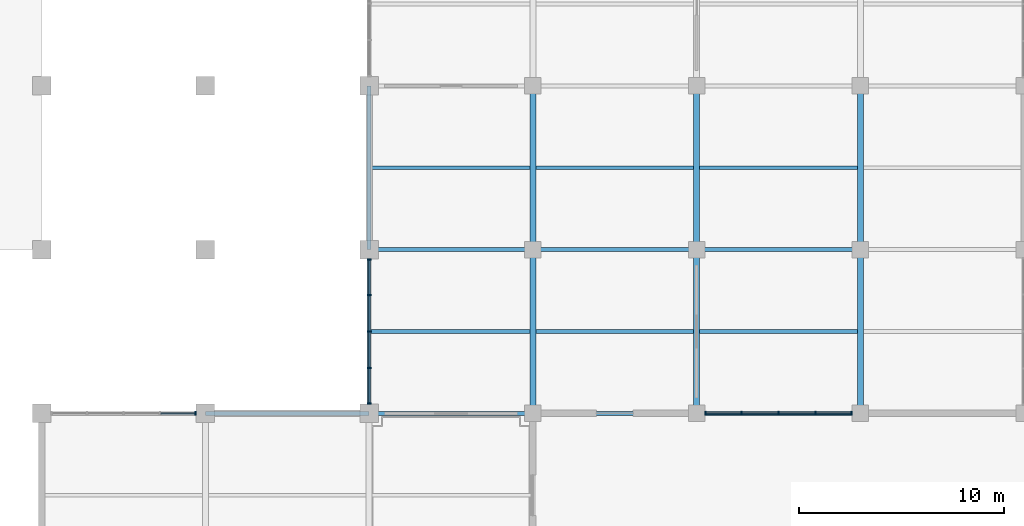
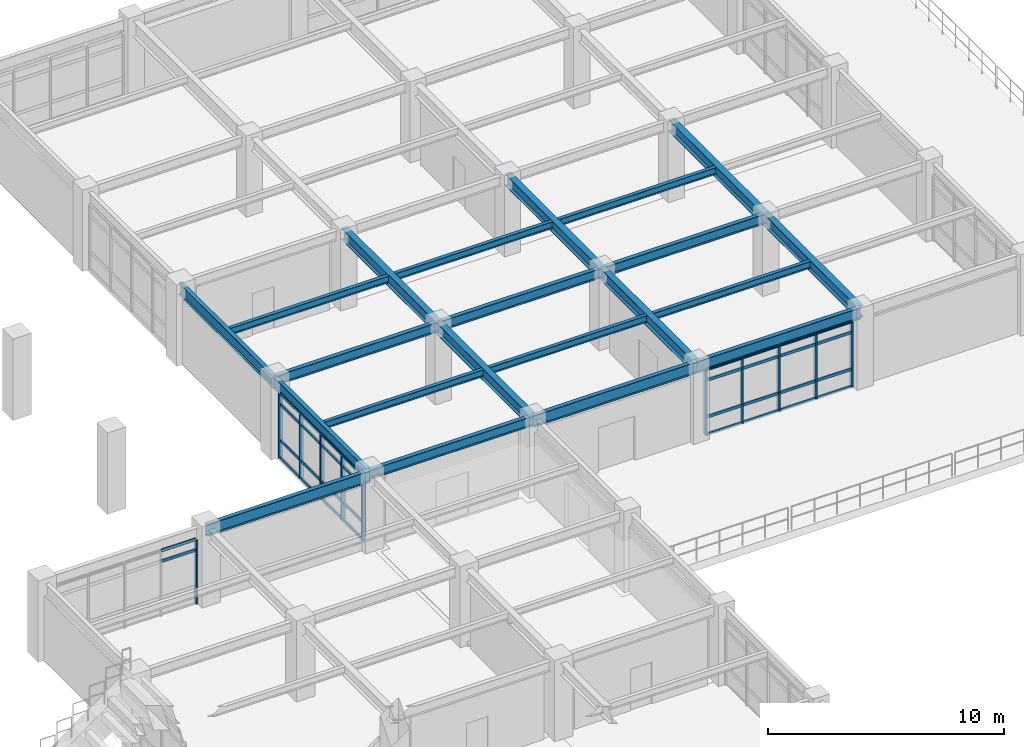
# One storey, part 59 of 118: 45 members, 21 beams, 3 elements without a shape of their own.
"""IFC4 building model written with IfcOpenShell, lengths in metres."""

from ifc_helpers import new_model, si_unit, direction, frame, origin, origin_2d, place, context, subcontext, project, spatial, rectangle, i_section, extrude, material, layer, layer_set, material_profile, profile_set, type_object, element, aggregate, save


model = new_model("IFC4")

# Units and contexts
model_context = context("Model", 3, precision=1e-05, world=origin(), true_north=direction((0.0, 1.0)))
body_context = subcontext(model_context, "Body", "Model", "MODEL_VIEW")
ifc_project = project(units=[si_unit("LENGTHUNIT", "METRE"), si_unit("AREAUNIT", "SQUARE_METRE"), si_unit("VOLUMEUNIT", "CUBIC_METRE"), si_unit("PLANEANGLEUNIT", "RADIAN"), si_unit("MASSUNIT", "GRAM", prefix="KILO")], contexts=[model_context])

# Site, building, storey
site_placement = place(None, origin())
site = spatial("IfcSite", under=ifc_project, at=site_placement, CompositionType="ELEMENT")
building_placement = place(site_placement, origin())
building = spatial("IfcBuilding", under=site, at=building_placement, Name="Haebicheon Civic Stadium", CompositionType="ELEMENT")
storey_placement = place(building_placement, frame((0.0, 0.0, 14.39990234375)))
storey = spatial("IfcBuildingStorey", under=building, at=storey_placement, Name="L04", CompositionType="ELEMENT", Elevation=14.39990234375)

# Beams
ifc_material_1 = material(Name="Steel SM355 (S355)", Category="steel")
ifc_material_profile_1 = material_profile(ifc_material_1, i_section(OverallWidth=0.199951171875, OverallDepth=0.5, WebThickness=0.010009765625, FlangeThickness=0.01611328125, at=origin_2d()), Name="H-500x200x10x16")
ifc_profile_set_1 = profile_set([ifc_material_profile_1], Name="Steel SM355 (S355)")
beam_type_1 = type_object("IfcBeamType", Name="BM-ST-H500", PredefinedType="BEAM", material=ifc_profile_set_1)
for number, where, z_axis, x_axis, name in (
    (1, (160.0, 144.0, 3.72998046875), (1.0, 0.0, 0.0), (0.0, 1.0, 0.0), "L04 beam U/21-22"),
    (2, (160.0, 152.0, 3.72998046875), (1.0, 0.0, 0.0), (0.0, 1.0, 0.0), "L04 beam V/21-22"),
    (3, (168.0, 152.0, 3.72998046875), (1.0, 0.0, 0.0), (0.0, 1.0, 0.0), "L04 beam V/22-23"),
    (4, (176.0, 152.0, 3.72998046875), (1.0, 0.0, 0.0), (0.0, 1.0, 0.0), "L04 beam V/23-24"),
):
    element("IfcBeam", number, at=place(storey_placement, frame(where, z_axis=z_axis, x_axis=x_axis)), inside=storey, type_object=beam_type_1, material=ifc_profile_set_1, Name=name, PredefinedType="BEAM", context=body_context, shape_type="SweptSolid", body=[
        extrude(i_section(OverallWidth=0.199951171875, OverallDepth=0.5, WebThickness=0.010009765625, FlangeThickness=0.01611328125, at=origin_2d()), origin(), (0.0, 0.0, 1.0), 8.0),
    ])
ifc_material_2 = material(Name="Steel SM355 (S355)", Category="steel")
ifc_material_profile_2 = material_profile(ifc_material_2, i_section(OverallWidth=0.300048828125, OverallDepth=0.60009765625, WebThickness=0.011962890625, FlangeThickness=0.02001953125, at=origin_2d()), Name="H-600x300x12x20")
ifc_profile_set_2 = profile_set([ifc_material_profile_2], Name="Steel SM355 (S355)")
beam_type_2 = type_object("IfcBeamType", Name="BM-ST-H600A", PredefinedType="BEAM", material=ifc_profile_set_2)
for number, where, z_axis, x_axis, name in (
    (5, (168.0, 144.0, 3.68017578125), (0.0, 1.0, 0.0), (-1.0, 0.0, 0.0), "L04 girder 22/U-V"),
    (6, (168.0, 152.0, 3.68017578125), (0.0, 1.0, 0.0), (-1.0, 0.0, 0.0), "L04 girder 22/V-W"),
    (7, (176.0, 144.0, 3.68017578125), (0.0, 1.0, 0.0), (-1.0, 0.0, 0.0), "L04 girder 23/U-V"),
    (8, (176.0, 152.0, 3.68017578125), (0.0, 1.0, 0.0), (-1.0, 0.0, 0.0), "L04 girder 23/V-W"),
    (9, (184.0, 144.0, 3.68017578125), (0.0, 1.0, 0.0), (-1.0, 0.0, 0.0), "L04 girder 24/U-V"),
    (10, (184.0, 152.0, 3.68017578125), (0.0, 1.0, 0.0), (-1.0, 0.0, 0.0), "L04 girder 24/V-W"),
):
    element("IfcBeam", number, at=place(storey_placement, frame(where, z_axis=z_axis, x_axis=x_axis)), inside=storey, type_object=beam_type_2, material=ifc_profile_set_2, Name=name, PredefinedType="BEAM", context=body_context, shape_type="SweptSolid", body=[
        extrude(i_section(OverallWidth=0.300048828125, OverallDepth=0.60009765625, WebThickness=0.011962890625, FlangeThickness=0.02001953125, at=origin_2d()), origin(), (0.0, 0.0, 1.0), 8.0),
    ])

# Curtain wall, member
ifc_material_3 = material(Name="Anodised aluminium and laminated glass", Category="aluminium")
ifc_layer_1 = layer(ifc_material_3, 0.179931640625, Name="Anodised aluminium and laminated glass")
ifc_layer_set_1 = layer_set([ifc_layer_1], Name="Anodised aluminium and laminated glass")
curtain_wall_type_1 = type_object("IfcCurtainWallType", Name="CW-7100x3330", PredefinedType="NOTDEFINED", material=ifc_layer_set_1)
curtain_wall_1_placement = place(storey_placement, origin())
curtain_wall_1 = element("IfcCurtainWall", 11, at=curtain_wall_1_placement, inside=storey, type_object=curtain_wall_type_1, material=ifc_layer_set_1, Name="L04 unitised curtain wall 148", PredefinedType="NOTDEFINED")
ifc_material_4 = material(Name="Anodised aluminium 6063-T6", Category="aluminium")
ifc_material_profile_3 = material_profile(ifc_material_4, rectangle(XDim=0.070068359375, YDim=0.199951171875, at=origin_2d()), Name="ALU-MULL-70x200")
ifc_profile_set_3 = profile_set([ifc_material_profile_3], Name="Anodised aluminium 6063-T6")
member_type_1 = type_object("IfcMemberType", Name="CWM-200x70", PredefinedType="MULLION", material=ifc_profile_set_3)
member_1_placement = place(storey_placement, frame((151.514892578125, 144.0, 0.0), z_axis=(0.0, 0.0, 1.0), x_axis=(1.0, 0.0, 0.0)))
member_1 = element("IfcMember", 12, at=member_1_placement, type_object=member_type_1, material=ifc_profile_set_3, Name="CW-L04-148 vertical mullion 5", PredefinedType="MULLION", context=body_context, shape_type="SweptSolid", body=[
    extrude(rectangle(XDim=0.070068359375, YDim=0.199951171875, at=origin_2d()), origin(), (0.0, 0.0, 1.0), 3.330078125),
])

# Curtain wall, members
ifc_material_5 = material(Name="Anodised aluminium and laminated glass", Category="aluminium")
ifc_layer_2 = layer(ifc_material_5, 0.179931640625, Name="Anodised aluminium and laminated glass")
ifc_layer_set_2 = layer_set([ifc_layer_2], Name="Anodised aluminium and laminated glass")
curtain_wall_type_2 = type_object("IfcCurtainWallType", Name="CW-7100x3326", PredefinedType="NOTDEFINED", material=ifc_layer_set_2)
curtain_wall_2_placement = place(storey_placement, origin())
curtain_wall_2 = element("IfcCurtainWall", 13, at=curtain_wall_2_placement, inside=storey, type_object=curtain_wall_type_2, material=ifc_layer_set_2, Name="L04 unitised curtain wall 159", PredefinedType="NOTDEFINED")
member_2_placement = place(storey_placement, frame((160.0, 144.485107421875, 0.0), z_axis=(0.0, 0.0, 1.0), x_axis=(0.0, 1.0, 0.0)))
member_2 = element("IfcMember", 14, at=member_2_placement, type_object=member_type_1, material=ifc_profile_set_3, Name="CW-L04-159 vertical mullion 1", PredefinedType="MULLION", context=body_context, shape_type="SweptSolid", body=[
    extrude(rectangle(XDim=0.070068359375, YDim=0.199951171875, at=origin_2d()), origin(), (0.0, 0.0, 1.0), 3.326171875),
])
member_3_placement = place(storey_placement, frame((160.0, 146.22509765625, 0.0), z_axis=(0.0, 0.0, 1.0), x_axis=(0.0, 1.0, 0.0)))
member_3 = element("IfcMember", 15, at=member_3_placement, type_object=member_type_1, material=ifc_profile_set_3, Name="CW-L04-159 vertical mullion 2", PredefinedType="MULLION", context=body_context, shape_type="SweptSolid", body=[
    extrude(rectangle(XDim=0.070068359375, YDim=0.199951171875, at=origin_2d()), origin(), (0.0, 0.0, 1.0), 3.326171875),
])
member_4_placement = place(storey_placement, frame((160.0, 148.0, 0.0), z_axis=(0.0, 0.0, 1.0), x_axis=(0.0, 1.0, 0.0)))
member_4 = element("IfcMember", 16, at=member_4_placement, type_object=member_type_1, material=ifc_profile_set_3, Name="CW-L04-159 vertical mullion 3", PredefinedType="MULLION", context=body_context, shape_type="SweptSolid", body=[
    extrude(rectangle(XDim=0.070068359375, YDim=0.199951171875, at=origin_2d()), origin(), (0.0, 0.0, 1.0), 3.326171875),
])
member_5_placement = place(storey_placement, frame((160.0, 149.77490234375, 0.0), z_axis=(0.0, 0.0, 1.0), x_axis=(0.0, 1.0, 0.0)))
member_5 = element("IfcMember", 17, at=member_5_placement, type_object=member_type_1, material=ifc_profile_set_3, Name="CW-L04-159 vertical mullion 4", PredefinedType="MULLION", context=body_context, shape_type="SweptSolid", body=[
    extrude(rectangle(XDim=0.070068359375, YDim=0.199951171875, at=origin_2d()), origin(), (0.0, 0.0, 1.0), 3.326171875),
])
member_6_placement = place(storey_placement, frame((160.0, 151.514892578125, 0.0), z_axis=(0.0, 0.0, 1.0), x_axis=(0.0, 1.0, 0.0)))
member_6 = element("IfcMember", 18, at=member_6_placement, type_object=member_type_1, material=ifc_profile_set_3, Name="CW-L04-159 vertical mullion 5", PredefinedType="MULLION", context=body_context, shape_type="SweptSolid", body=[
    extrude(rectangle(XDim=0.070068359375, YDim=0.199951171875, at=origin_2d()), origin(), (0.0, 0.0, 1.0), 3.326171875),
])

ifc_material_6 = material(Name="Anodised aluminium and laminated glass", Category="aluminium")
ifc_layer_3 = layer(ifc_material_6, 0.179931640625, Name="Anodised aluminium and laminated glass")
ifc_layer_set_3 = layer_set([ifc_layer_3], Name="Anodised aluminium and laminated glass")
curtain_wall_type_3 = type_object("IfcCurtainWallType", Name="CW-7200x3350", PredefinedType="NOTDEFINED", material=ifc_layer_set_3)
curtain_wall_3_placement = place(storey_placement, origin())
curtain_wall_3 = element("IfcCurtainWall", 19, at=curtain_wall_3_placement, inside=storey, type_object=curtain_wall_type_3, material=ifc_layer_set_3, Name="L04 unitised curtain wall 163", PredefinedType="NOTDEFINED")
member_7_placement = place(storey_placement, frame((176.43505859375, 144.0, 0.0), z_axis=(0.0, 0.0, 1.0), x_axis=(1.0, 0.0, 0.0)))
member_7 = element("IfcMember", 20, at=member_7_placement, type_object=member_type_1, material=ifc_profile_set_3, Name="CW-L04-163 vertical mullion 1", PredefinedType="MULLION", context=body_context, shape_type="SweptSolid", body=[
    extrude(rectangle(XDim=0.070068359375, YDim=0.199951171875, at=origin_2d()), origin(), (0.0, 0.0, 1.0), 3.35009765625),
])
member_8_placement = place(storey_placement, frame((178.199951171875, 144.0, 0.0), z_axis=(0.0, 0.0, 1.0), x_axis=(1.0, 0.0, 0.0)))
member_8 = element("IfcMember", 21, at=member_8_placement, type_object=member_type_1, material=ifc_profile_set_3, Name="CW-L04-163 vertical mullion 2", PredefinedType="MULLION", context=body_context, shape_type="SweptSolid", body=[
    extrude(rectangle(XDim=0.070068359375, YDim=0.199951171875, at=origin_2d()), origin(), (0.0, 0.0, 1.0), 3.35009765625),
])
member_9_placement = place(storey_placement, frame((180.0, 144.0, 0.0), z_axis=(0.0, 0.0, 1.0), x_axis=(1.0, 0.0, 0.0)))
member_9 = element("IfcMember", 22, at=member_9_placement, type_object=member_type_1, material=ifc_profile_set_3, Name="CW-L04-163 vertical mullion 3", PredefinedType="MULLION", context=body_context, shape_type="SweptSolid", body=[
    extrude(rectangle(XDim=0.070068359375, YDim=0.199951171875, at=origin_2d()), origin(), (0.0, 0.0, 1.0), 3.35009765625),
])
member_10_placement = place(storey_placement, frame((181.800048828125, 144.0, 0.0), z_axis=(0.0, 0.0, 1.0), x_axis=(1.0, 0.0, 0.0)))
member_10 = element("IfcMember", 23, at=member_10_placement, type_object=member_type_1, material=ifc_profile_set_3, Name="CW-L04-163 vertical mullion 4", PredefinedType="MULLION", context=body_context, shape_type="SweptSolid", body=[
    extrude(rectangle(XDim=0.070068359375, YDim=0.199951171875, at=origin_2d()), origin(), (0.0, 0.0, 1.0), 3.35009765625),
])
member_11_placement = place(storey_placement, frame((183.56494140625, 144.0, 0.0), z_axis=(0.0, 0.0, 1.0), x_axis=(1.0, 0.0, 0.0)))
member_11 = element("IfcMember", 24, at=member_11_placement, type_object=member_type_1, material=ifc_profile_set_3, Name="CW-L04-163 vertical mullion 5", PredefinedType="MULLION", context=body_context, shape_type="SweptSolid", body=[
    extrude(rectangle(XDim=0.070068359375, YDim=0.199951171875, at=origin_2d()), origin(), (0.0, 0.0, 1.0), 3.35009765625),
])

# Member
ifc_material_7 = material(Name="Anodised aluminium 6063-T6", Category="aluminium")
ifc_material_profile_4 = material_profile(ifc_material_7, rectangle(XDim=0.070068359375, YDim=0.14990234375, at=origin_2d()), Name="ALU-TRAN-70x150")
ifc_profile_set_4 = profile_set([ifc_material_profile_4], Name="Anodised aluminium 6063-T6")
member_type_2 = type_object("IfcMemberType", Name="CWT-150x70", PredefinedType="NOTDEFINED", material=ifc_profile_set_4)
member_12_placement = place(storey_placement, frame((149.81005859375, 144.0, 2.780029296875), z_axis=(1.0, 0.0, 0.0), x_axis=(0.0, 1.0, 0.0)))
member_12 = element("IfcMember", 25, at=member_12_placement, type_object=member_type_2, material=ifc_profile_set_4, Name="CW-L04-148 horizontal transom 4.3", ObjectType="TRANSOM", PredefinedType="USERDEFINED", context=body_context, shape_type="SweptSolid", body=[
    extrude(rectangle(XDim=0.070068359375, YDim=0.14990234375, at=origin_2d()), origin(), (0.0, 0.0, 1.0), 1.669921875),
])

member_13_placement = place(storey_placement, frame((149.81005859375, 144.0, 3.330078125), z_axis=(1.0, 0.0, 0.0), x_axis=(0.0, 1.0, 0.0)))
member_13 = element("IfcMember", 26, at=member_13_placement, type_object=member_type_2, material=ifc_profile_set_4, Name="CW-L04-148 horizontal transom 4.4", ObjectType="TRANSOM", PredefinedType="USERDEFINED", context=body_context, shape_type="SweptSolid", body=[
    extrude(rectangle(XDim=0.070068359375, YDim=0.14990234375, at=origin_2d()), origin(), (0.0, 0.0, 1.0), 1.669921875),
])

aggregate(curtain_wall_1, [member_1, member_12, member_13])

member_14_placement = place(storey_placement, frame((160.0, 144.52001953125, 0.0), z_axis=(0.0, 1.0, 0.0), x_axis=(-1.0, 0.0, 0.0)))
member_14 = element("IfcMember", 27, at=member_14_placement, type_object=member_type_2, material=ifc_profile_set_4, Name="CW-L04-159 horizontal transom 1.1", ObjectType="TRANSOM", PredefinedType="USERDEFINED", context=body_context, shape_type="SweptSolid", body=[
    extrude(rectangle(XDim=0.070068359375, YDim=0.14990234375, at=origin_2d()), origin(), (0.0, 0.0, 1.0), 1.669921875),
])

member_15_placement = place(storey_placement, frame((160.0, 144.52001953125, 0.900146484375), z_axis=(0.0, 1.0, 0.0), x_axis=(-1.0, 0.0, 0.0)))
member_15 = element("IfcMember", 28, at=member_15_placement, type_object=member_type_2, material=ifc_profile_set_4, Name="CW-L04-159 horizontal transom 1.2", ObjectType="TRANSOM", PredefinedType="USERDEFINED", context=body_context, shape_type="SweptSolid", body=[
    extrude(rectangle(XDim=0.070068359375, YDim=0.14990234375, at=origin_2d()), origin(), (0.0, 0.0, 1.0), 1.669921875),
])

member_16_placement = place(storey_placement, frame((160.0, 144.52001953125, 2.776123046875), z_axis=(0.0, 1.0, 0.0), x_axis=(-1.0, 0.0, 0.0)))
member_16 = element("IfcMember", 29, at=member_16_placement, type_object=member_type_2, material=ifc_profile_set_4, Name="CW-L04-159 horizontal transom 1.3", ObjectType="TRANSOM", PredefinedType="USERDEFINED", context=body_context, shape_type="SweptSolid", body=[
    extrude(rectangle(XDim=0.070068359375, YDim=0.14990234375, at=origin_2d()), origin(), (0.0, 0.0, 1.0), 1.669921875),
])

member_17_placement = place(storey_placement, frame((160.0, 144.52001953125, 3.326171875), z_axis=(0.0, 1.0, 0.0), x_axis=(-1.0, 0.0, 0.0)))
member_17 = element("IfcMember", 30, at=member_17_placement, type_object=member_type_2, material=ifc_profile_set_4, Name="CW-L04-159 horizontal transom 1.4", ObjectType="TRANSOM", PredefinedType="USERDEFINED", context=body_context, shape_type="SweptSolid", body=[
    extrude(rectangle(XDim=0.070068359375, YDim=0.14990234375, at=origin_2d()), origin(), (0.0, 0.0, 1.0), 1.669921875),
])

member_18_placement = place(storey_placement, frame((160.0, 146.260009765625, 0.0), z_axis=(0.0, 1.0, 0.0), x_axis=(-1.0, 0.0, 0.0)))
member_18 = element("IfcMember", 31, at=member_18_placement, type_object=member_type_2, material=ifc_profile_set_4, Name="CW-L04-159 horizontal transom 2.1", ObjectType="TRANSOM", PredefinedType="USERDEFINED", context=body_context, shape_type="SweptSolid", body=[
    extrude(rectangle(XDim=0.070068359375, YDim=0.14990234375, at=origin_2d()), origin(), (0.0, 0.0, 1.0), 1.705078125),
])

member_19_placement = place(storey_placement, frame((160.0, 146.260009765625, 0.900146484375), z_axis=(0.0, 1.0, 0.0), x_axis=(-1.0, 0.0, 0.0)))
member_19 = element("IfcMember", 32, at=member_19_placement, type_object=member_type_2, material=ifc_profile_set_4, Name="CW-L04-159 horizontal transom 2.2", ObjectType="TRANSOM", PredefinedType="USERDEFINED", context=body_context, shape_type="SweptSolid", body=[
    extrude(rectangle(XDim=0.070068359375, YDim=0.14990234375, at=origin_2d()), origin(), (0.0, 0.0, 1.0), 1.705078125),
])

member_20_placement = place(storey_placement, frame((160.0, 146.260009765625, 2.776123046875), z_axis=(0.0, 1.0, 0.0), x_axis=(-1.0, 0.0, 0.0)))
member_20 = element("IfcMember", 33, at=member_20_placement, type_object=member_type_2, material=ifc_profile_set_4, Name="CW-L04-159 horizontal transom 2.3", ObjectType="TRANSOM", PredefinedType="USERDEFINED", context=body_context, shape_type="SweptSolid", body=[
    extrude(rectangle(XDim=0.070068359375, YDim=0.14990234375, at=origin_2d()), origin(), (0.0, 0.0, 1.0), 1.705078125),
])

member_21_placement = place(storey_placement, frame((160.0, 146.260009765625, 3.326171875), z_axis=(0.0, 1.0, 0.0), x_axis=(-1.0, 0.0, 0.0)))
member_21 = element("IfcMember", 34, at=member_21_placement, type_object=member_type_2, material=ifc_profile_set_4, Name="CW-L04-159 horizontal transom 2.4", ObjectType="TRANSOM", PredefinedType="USERDEFINED", context=body_context, shape_type="SweptSolid", body=[
    extrude(rectangle(XDim=0.070068359375, YDim=0.14990234375, at=origin_2d()), origin(), (0.0, 0.0, 1.0), 1.705078125),
])

member_22_placement = place(storey_placement, frame((160.0, 148.034912109375, 0.0), z_axis=(0.0, 1.0, 0.0), x_axis=(-1.0, 0.0, 0.0)))
member_22 = element("IfcMember", 35, at=member_22_placement, type_object=member_type_2, material=ifc_profile_set_4, Name="CW-L04-159 horizontal transom 3.1", ObjectType="TRANSOM", PredefinedType="USERDEFINED", context=body_context, shape_type="SweptSolid", body=[
    extrude(rectangle(XDim=0.070068359375, YDim=0.14990234375, at=origin_2d()), origin(), (0.0, 0.0, 1.0), 1.705078125),
])

member_23_placement = place(storey_placement, frame((160.0, 148.034912109375, 0.900146484375), z_axis=(0.0, 1.0, 0.0), x_axis=(-1.0, 0.0, 0.0)))
member_23 = element("IfcMember", 36, at=member_23_placement, type_object=member_type_2, material=ifc_profile_set_4, Name="CW-L04-159 horizontal transom 3.2", ObjectType="TRANSOM", PredefinedType="USERDEFINED", context=body_context, shape_type="SweptSolid", body=[
    extrude(rectangle(XDim=0.070068359375, YDim=0.14990234375, at=origin_2d()), origin(), (0.0, 0.0, 1.0), 1.705078125),
])

member_24_placement = place(storey_placement, frame((160.0, 148.034912109375, 2.776123046875), z_axis=(0.0, 1.0, 0.0), x_axis=(-1.0, 0.0, 0.0)))
member_24 = element("IfcMember", 37, at=member_24_placement, type_object=member_type_2, material=ifc_profile_set_4, Name="CW-L04-159 horizontal transom 3.3", ObjectType="TRANSOM", PredefinedType="USERDEFINED", context=body_context, shape_type="SweptSolid", body=[
    extrude(rectangle(XDim=0.070068359375, YDim=0.14990234375, at=origin_2d()), origin(), (0.0, 0.0, 1.0), 1.705078125),
])

member_25_placement = place(storey_placement, frame((160.0, 148.034912109375, 3.326171875), z_axis=(0.0, 1.0, 0.0), x_axis=(-1.0, 0.0, 0.0)))
member_25 = element("IfcMember", 38, at=member_25_placement, type_object=member_type_2, material=ifc_profile_set_4, Name="CW-L04-159 horizontal transom 3.4", ObjectType="TRANSOM", PredefinedType="USERDEFINED", context=body_context, shape_type="SweptSolid", body=[
    extrude(rectangle(XDim=0.070068359375, YDim=0.14990234375, at=origin_2d()), origin(), (0.0, 0.0, 1.0), 1.705078125),
])

member_26_placement = place(storey_placement, frame((160.0, 149.81005859375, 0.0), z_axis=(0.0, 1.0, 0.0), x_axis=(-1.0, 0.0, 0.0)))
member_26 = element("IfcMember", 39, at=member_26_placement, type_object=member_type_2, material=ifc_profile_set_4, Name="CW-L04-159 horizontal transom 4.1", ObjectType="TRANSOM", PredefinedType="USERDEFINED", context=body_context, shape_type="SweptSolid", body=[
    extrude(rectangle(XDim=0.070068359375, YDim=0.14990234375, at=origin_2d()), origin(), (0.0, 0.0, 1.0), 1.669921875),
])

member_27_placement = place(storey_placement, frame((160.0, 149.81005859375, 0.900146484375), z_axis=(0.0, 1.0, 0.0), x_axis=(-1.0, 0.0, 0.0)))
member_27 = element("IfcMember", 40, at=member_27_placement, type_object=member_type_2, material=ifc_profile_set_4, Name="CW-L04-159 horizontal transom 4.2", ObjectType="TRANSOM", PredefinedType="USERDEFINED", context=body_context, shape_type="SweptSolid", body=[
    extrude(rectangle(XDim=0.070068359375, YDim=0.14990234375, at=origin_2d()), origin(), (0.0, 0.0, 1.0), 1.669921875),
])

member_28_placement = place(storey_placement, frame((160.0, 149.81005859375, 2.776123046875), z_axis=(0.0, 1.0, 0.0), x_axis=(-1.0, 0.0, 0.0)))
member_28 = element("IfcMember", 41, at=member_28_placement, type_object=member_type_2, material=ifc_profile_set_4, Name="CW-L04-159 horizontal transom 4.3", ObjectType="TRANSOM", PredefinedType="USERDEFINED", context=body_context, shape_type="SweptSolid", body=[
    extrude(rectangle(XDim=0.070068359375, YDim=0.14990234375, at=origin_2d()), origin(), (0.0, 0.0, 1.0), 1.669921875),
])

member_29_placement = place(storey_placement, frame((160.0, 149.81005859375, 3.326171875), z_axis=(0.0, 1.0, 0.0), x_axis=(-1.0, 0.0, 0.0)))
member_29 = element("IfcMember", 42, at=member_29_placement, type_object=member_type_2, material=ifc_profile_set_4, Name="CW-L04-159 horizontal transom 4.4", ObjectType="TRANSOM", PredefinedType="USERDEFINED", context=body_context, shape_type="SweptSolid", body=[
    extrude(rectangle(XDim=0.070068359375, YDim=0.14990234375, at=origin_2d()), origin(), (0.0, 0.0, 1.0), 1.669921875),
])

aggregate(curtain_wall_2, [member_2, member_3, member_4, member_5, member_6, member_14, member_15, member_16, member_17, member_18, member_19, member_20, member_21, member_22, member_23, member_24, member_25, member_26, member_27, member_28, member_29])

member_30_placement = place(storey_placement, frame((176.469970703125, 144.0, 0.0), z_axis=(1.0, 0.0, 0.0), x_axis=(0.0, 1.0, 0.0)))
member_30 = element("IfcMember", 43, at=member_30_placement, type_object=member_type_2, material=ifc_profile_set_4, Name="CW-L04-163 horizontal transom 1.1", ObjectType="TRANSOM", PredefinedType="USERDEFINED", context=body_context, shape_type="SweptSolid", body=[
    extrude(rectangle(XDim=0.070068359375, YDim=0.14990234375, at=origin_2d()), origin(), (0.0, 0.0, 1.0), 1.695068359375),
])

member_31_placement = place(storey_placement, frame((176.469970703125, 144.0, 0.900146484375), z_axis=(1.0, 0.0, 0.0), x_axis=(0.0, 1.0, 0.0)))
member_31 = element("IfcMember", 44, at=member_31_placement, type_object=member_type_2, material=ifc_profile_set_4, Name="CW-L04-163 horizontal transom 1.2", ObjectType="TRANSOM", PredefinedType="USERDEFINED", context=body_context, shape_type="SweptSolid", body=[
    extrude(rectangle(XDim=0.070068359375, YDim=0.14990234375, at=origin_2d()), origin(), (0.0, 0.0, 1.0), 1.695068359375),
])

member_32_placement = place(storey_placement, frame((176.469970703125, 144.0, 2.800048828125), z_axis=(1.0, 0.0, 0.0), x_axis=(0.0, 1.0, 0.0)))
member_32 = element("IfcMember", 45, at=member_32_placement, type_object=member_type_2, material=ifc_profile_set_4, Name="CW-L04-163 horizontal transom 1.3", ObjectType="TRANSOM", PredefinedType="USERDEFINED", context=body_context, shape_type="SweptSolid", body=[
    extrude(rectangle(XDim=0.070068359375, YDim=0.14990234375, at=origin_2d()), origin(), (0.0, 0.0, 1.0), 1.695068359375),
])

member_33_placement = place(storey_placement, frame((176.469970703125, 144.0, 3.35009765625), z_axis=(1.0, 0.0, 0.0), x_axis=(0.0, 1.0, 0.0)))
member_33 = element("IfcMember", 46, at=member_33_placement, type_object=member_type_2, material=ifc_profile_set_4, Name="CW-L04-163 horizontal transom 1.4", ObjectType="TRANSOM", PredefinedType="USERDEFINED", context=body_context, shape_type="SweptSolid", body=[
    extrude(rectangle(XDim=0.070068359375, YDim=0.14990234375, at=origin_2d()), origin(), (0.0, 0.0, 1.0), 1.695068359375),
])

member_34_placement = place(storey_placement, frame((178.235107421875, 144.0, 0.0), z_axis=(1.0, 0.0, 0.0), x_axis=(0.0, 1.0, 0.0)))
member_34 = element("IfcMember", 47, at=member_34_placement, type_object=member_type_2, material=ifc_profile_set_4, Name="CW-L04-163 horizontal transom 2.1", ObjectType="TRANSOM", PredefinedType="USERDEFINED", context=body_context, shape_type="SweptSolid", body=[
    extrude(rectangle(XDim=0.070068359375, YDim=0.14990234375, at=origin_2d()), origin(), (0.0, 0.0, 1.0), 1.72998046875),
])

member_35_placement = place(storey_placement, frame((178.235107421875, 144.0, 0.900146484375), z_axis=(1.0, 0.0, 0.0), x_axis=(0.0, 1.0, 0.0)))
member_35 = element("IfcMember", 48, at=member_35_placement, type_object=member_type_2, material=ifc_profile_set_4, Name="CW-L04-163 horizontal transom 2.2", ObjectType="TRANSOM", PredefinedType="USERDEFINED", context=body_context, shape_type="SweptSolid", body=[
    extrude(rectangle(XDim=0.070068359375, YDim=0.14990234375, at=origin_2d()), origin(), (0.0, 0.0, 1.0), 1.72998046875),
])

member_36_placement = place(storey_placement, frame((178.235107421875, 144.0, 2.800048828125), z_axis=(1.0, 0.0, 0.0), x_axis=(0.0, 1.0, 0.0)))
member_36 = element("IfcMember", 49, at=member_36_placement, type_object=member_type_2, material=ifc_profile_set_4, Name="CW-L04-163 horizontal transom 2.3", ObjectType="TRANSOM", PredefinedType="USERDEFINED", context=body_context, shape_type="SweptSolid", body=[
    extrude(rectangle(XDim=0.070068359375, YDim=0.14990234375, at=origin_2d()), origin(), (0.0, 0.0, 1.0), 1.72998046875),
])

member_37_placement = place(storey_placement, frame((178.235107421875, 144.0, 3.35009765625), z_axis=(1.0, 0.0, 0.0), x_axis=(0.0, 1.0, 0.0)))
member_37 = element("IfcMember", 50, at=member_37_placement, type_object=member_type_2, material=ifc_profile_set_4, Name="CW-L04-163 horizontal transom 2.4", ObjectType="TRANSOM", PredefinedType="USERDEFINED", context=body_context, shape_type="SweptSolid", body=[
    extrude(rectangle(XDim=0.070068359375, YDim=0.14990234375, at=origin_2d()), origin(), (0.0, 0.0, 1.0), 1.72998046875),
])

member_38_placement = place(storey_placement, frame((180.034912109375, 144.0, 0.0), z_axis=(1.0, 0.0, 0.0), x_axis=(0.0, 1.0, 0.0)))
member_38 = element("IfcMember", 51, at=member_38_placement, type_object=member_type_2, material=ifc_profile_set_4, Name="CW-L04-163 horizontal transom 3.1", ObjectType="TRANSOM", PredefinedType="USERDEFINED", context=body_context, shape_type="SweptSolid", body=[
    extrude(rectangle(XDim=0.070068359375, YDim=0.14990234375, at=origin_2d()), origin(), (0.0, 0.0, 1.0), 1.72998046875),
])

member_39_placement = place(storey_placement, frame((180.034912109375, 144.0, 0.900146484375), z_axis=(1.0, 0.0, 0.0), x_axis=(0.0, 1.0, 0.0)))
member_39 = element("IfcMember", 52, at=member_39_placement, type_object=member_type_2, material=ifc_profile_set_4, Name="CW-L04-163 horizontal transom 3.2", ObjectType="TRANSOM", PredefinedType="USERDEFINED", context=body_context, shape_type="SweptSolid", body=[
    extrude(rectangle(XDim=0.070068359375, YDim=0.14990234375, at=origin_2d()), origin(), (0.0, 0.0, 1.0), 1.72998046875),
])

member_40_placement = place(storey_placement, frame((180.034912109375, 144.0, 2.800048828125), z_axis=(1.0, 0.0, 0.0), x_axis=(0.0, 1.0, 0.0)))
member_40 = element("IfcMember", 53, at=member_40_placement, type_object=member_type_2, material=ifc_profile_set_4, Name="CW-L04-163 horizontal transom 3.3", ObjectType="TRANSOM", PredefinedType="USERDEFINED", context=body_context, shape_type="SweptSolid", body=[
    extrude(rectangle(XDim=0.070068359375, YDim=0.14990234375, at=origin_2d()), origin(), (0.0, 0.0, 1.0), 1.72998046875),
])

member_41_placement = place(storey_placement, frame((180.034912109375, 144.0, 3.35009765625), z_axis=(1.0, 0.0, 0.0), x_axis=(0.0, 1.0, 0.0)))
member_41 = element("IfcMember", 54, at=member_41_placement, type_object=member_type_2, material=ifc_profile_set_4, Name="CW-L04-163 horizontal transom 3.4", ObjectType="TRANSOM", PredefinedType="USERDEFINED", context=body_context, shape_type="SweptSolid", body=[
    extrude(rectangle(XDim=0.070068359375, YDim=0.14990234375, at=origin_2d()), origin(), (0.0, 0.0, 1.0), 1.72998046875),
])

member_42_placement = place(storey_placement, frame((181.8349609375, 144.0, 0.0), z_axis=(1.0, 0.0, 0.0), x_axis=(0.0, 1.0, 0.0)))
member_42 = element("IfcMember", 55, at=member_42_placement, type_object=member_type_2, material=ifc_profile_set_4, Name="CW-L04-163 horizontal transom 4.1", ObjectType="TRANSOM", PredefinedType="USERDEFINED", context=body_context, shape_type="SweptSolid", body=[
    extrude(rectangle(XDim=0.070068359375, YDim=0.14990234375, at=origin_2d()), origin(), (0.0, 0.0, 1.0), 1.695068359375),
])

member_43_placement = place(storey_placement, frame((181.8349609375, 144.0, 0.900146484375), z_axis=(1.0, 0.0, 0.0), x_axis=(0.0, 1.0, 0.0)))
member_43 = element("IfcMember", 56, at=member_43_placement, type_object=member_type_2, material=ifc_profile_set_4, Name="CW-L04-163 horizontal transom 4.2", ObjectType="TRANSOM", PredefinedType="USERDEFINED", context=body_context, shape_type="SweptSolid", body=[
    extrude(rectangle(XDim=0.070068359375, YDim=0.14990234375, at=origin_2d()), origin(), (0.0, 0.0, 1.0), 1.695068359375),
])

member_44_placement = place(storey_placement, frame((181.8349609375, 144.0, 2.800048828125), z_axis=(1.0, 0.0, 0.0), x_axis=(0.0, 1.0, 0.0)))
member_44 = element("IfcMember", 57, at=member_44_placement, type_object=member_type_2, material=ifc_profile_set_4, Name="CW-L04-163 horizontal transom 4.3", ObjectType="TRANSOM", PredefinedType="USERDEFINED", context=body_context, shape_type="SweptSolid", body=[
    extrude(rectangle(XDim=0.070068359375, YDim=0.14990234375, at=origin_2d()), origin(), (0.0, 0.0, 1.0), 1.695068359375),
])

member_45_placement = place(storey_placement, frame((181.8349609375, 144.0, 3.35009765625), z_axis=(1.0, 0.0, 0.0), x_axis=(0.0, 1.0, 0.0)))
member_45 = element("IfcMember", 58, at=member_45_placement, type_object=member_type_2, material=ifc_profile_set_4, Name="CW-L04-163 horizontal transom 4.4", ObjectType="TRANSOM", PredefinedType="USERDEFINED", context=body_context, shape_type="SweptSolid", body=[
    extrude(rectangle(XDim=0.070068359375, YDim=0.14990234375, at=origin_2d()), origin(), (0.0, 0.0, 1.0), 1.695068359375),
])

aggregate(curtain_wall_3, [member_7, member_8, member_9, member_10, member_11, member_30, member_31, member_32, member_33, member_34, member_35, member_36, member_37, member_38, member_39, member_40, member_41, member_42, member_43, member_44, member_45])

# Beams
ifc_material_8 = material(Name="Steel SM355 (S355)", Category="steel")
ifc_material_profile_5 = material_profile(ifc_material_8, i_section(OverallWidth=0.175048828125, OverallDepth=0.35009765625, WebThickness=0.007080078125, FlangeThickness=0.010986328125, at=origin_2d()), Name="H-350x175x7x11")
ifc_profile_set_5 = profile_set([ifc_material_profile_5], Name="Steel SM355 (S355)")
beam_type_3 = type_object("IfcBeamType", Name="JST-ST-H350", PredefinedType="JOIST", material=ifc_profile_set_5)
for number, where, z_axis, x_axis, name in (
    (59, (160.10009765625, 148.0, 3.80517578125), (1.0, 0.0, 0.0), (0.0, 1.0, 0.0), "L04 secondary joist 20-18"),
    (60, (160.10009765625, 156.0, 3.80517578125), (1.0, 0.0, 0.0), (0.0, 1.0, 0.0), "L04 secondary joist 20-19"),
):
    element("IfcBeam", number, at=place(storey_placement, frame(where, z_axis=z_axis, x_axis=x_axis)), inside=storey, type_object=beam_type_3, material=ifc_profile_set_5, Name=name, PredefinedType="JOIST", context=body_context, shape_type="SweptSolid", body=[
        extrude(i_section(OverallWidth=0.175048828125, OverallDepth=0.35009765625, WebThickness=0.007080078125, FlangeThickness=0.010986328125, at=origin_2d()), origin(), (0.0, 0.0, 1.0), 7.75),
    ])
for number, where, z_axis, x_axis, name in (
    (61, (168.14990234375, 148.0, 3.80517578125), (1.0, 0.0, 0.0), (0.0, 1.0, 0.0), "L04 secondary joist 21-18"),
    (62, (168.14990234375, 156.0, 3.80517578125), (1.0, 0.0, 0.0), (0.0, 1.0, 0.0), "L04 secondary joist 21-19"),
    (63, (176.14990234375, 148.0, 3.80517578125), (1.0, 0.0, 0.0), (0.0, 1.0, 0.0), "L04 secondary joist 22-18"),
    (64, (176.14990234375, 156.0, 3.80517578125), (1.0, 0.0, 0.0), (0.0, 1.0, 0.0), "L04 secondary joist 22-19"),
):
    element("IfcBeam", number, at=place(storey_placement, frame(where, z_axis=z_axis, x_axis=x_axis)), inside=storey, type_object=beam_type_3, material=ifc_profile_set_5, Name=name, PredefinedType="JOIST", context=body_context, shape_type="SweptSolid", body=[
        extrude(i_section(OverallWidth=0.175048828125, OverallDepth=0.35009765625, WebThickness=0.007080078125, FlangeThickness=0.010986328125, at=origin_2d()), origin(), (0.0, 0.0, 1.0), 7.7001953125),
    ])
ifc_material_9 = material(Name="Steel SM355 (S355)", Category="steel")
ifc_material_profile_6 = material_profile(ifc_material_9, i_section(OverallWidth=0.199951171875, OverallDepth=0.60009765625, WebThickness=0.010986328125, FlangeThickness=0.01708984375, at=origin_2d()), Name="H-600x200x11x17")
ifc_profile_set_6 = profile_set([ifc_material_profile_6], Name="Steel SM355 (S355)")
beam_type_4 = type_object("IfcBeamType", Name="SPD-ST-H600B", PredefinedType="SPANDREL", material=ifc_profile_set_6)
for number, where, z_axis, x_axis, name in (
    (65, (160.0, 144.0, 3.635986328125), (0.0, 1.0, 0.0), (-1.0, 0.0, 0.0), "L04 girder 21/U-V"),
    (66, (160.0, 152.0, 3.635986328125), (0.0, 1.0, 0.0), (-1.0, 0.0, 0.0), "L04 girder 21/V-W"),
    (67, (152.0, 144.0, 3.64013671875), (1.0, 0.0, 0.0), (0.0, 1.0, 0.0), "L04 beam U/20-21"),
    (68, (168.0, 144.0, 3.68017578125), (1.0, 0.0, 0.0), (0.0, 1.0, 0.0), "L04 beam U/22-23"),
    (69, (176.0, 144.0, 3.68017578125), (1.0, 0.0, 0.0), (0.0, 1.0, 0.0), "L04 beam U/23-24"),
):
    element("IfcBeam", number, at=place(storey_placement, frame(where, z_axis=z_axis, x_axis=x_axis)), inside=storey, type_object=beam_type_4, material=ifc_profile_set_6, Name=name, PredefinedType="SPANDREL", context=body_context, shape_type="SweptSolid", body=[
        extrude(i_section(OverallWidth=0.199951171875, OverallDepth=0.60009765625, WebThickness=0.010986328125, FlangeThickness=0.01708984375, at=origin_2d()), origin(), (0.0, 0.0, 1.0), 8.0),
    ])

save(model, "model.ifc")
